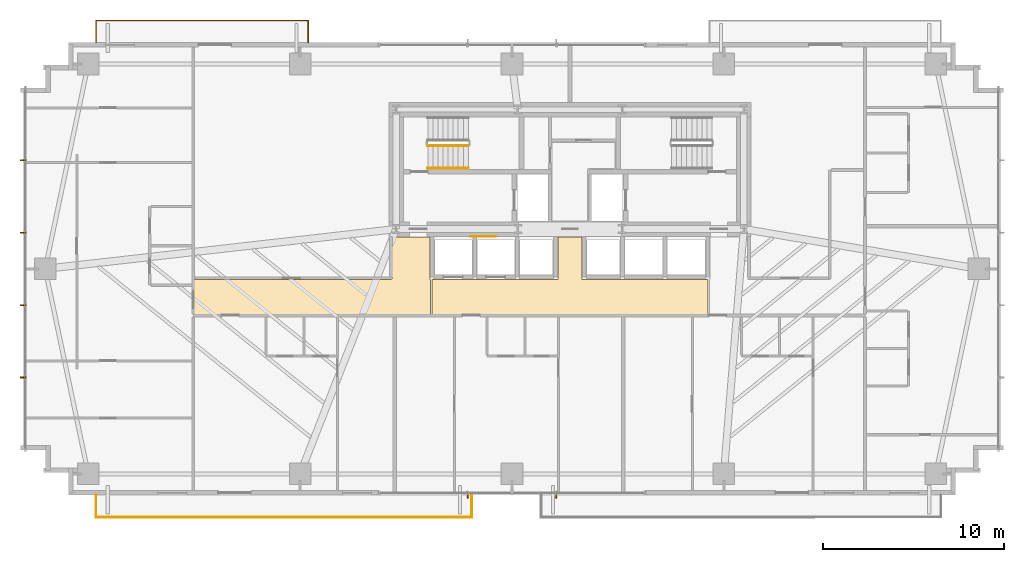
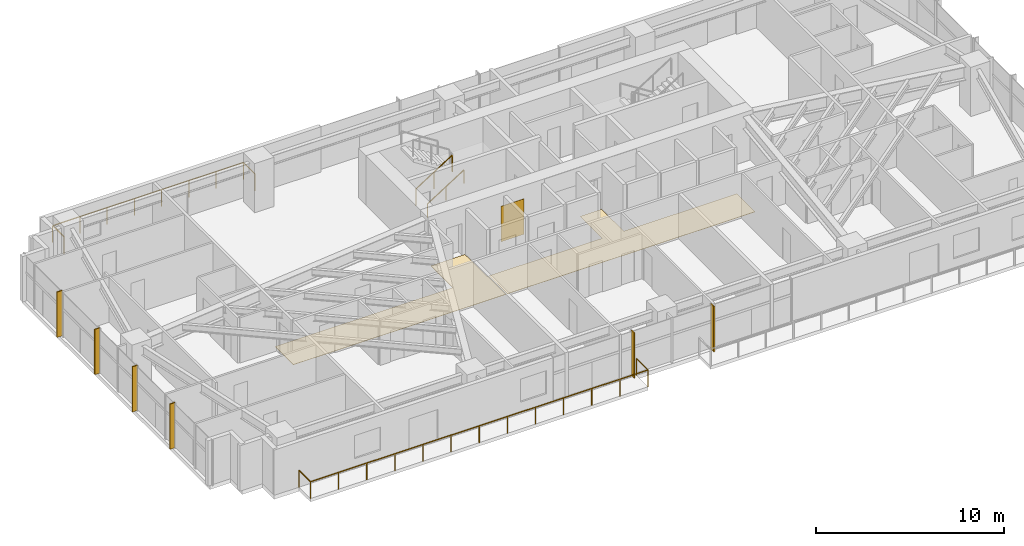
# One storey, part 23 of 25: 6 shading devices, 4 railings, 3 coverings.
"""IFC4 building model written with IfcOpenShell, lengths in metres."""

from ifc_helpers import new_model, si_unit, direction, frame, origin, origin_2d, place, context, subcontext, project, spatial, polyline, rectangle, outline, extrude, source, transform, mapped, material, layer, layer_set, type_object, type_shapes, element, save


model = new_model("IFC4")

# Units and contexts
model_context = context("Model", 3, precision=1e-05, world=origin(), true_north=direction((0.0, 1.0)))
body_context = subcontext(model_context, "Body", "Model", "MODEL_VIEW")
ifc_project = project(units=[si_unit("LENGTHUNIT", "METRE"), si_unit("AREAUNIT", "SQUARE_METRE"), si_unit("VOLUMEUNIT", "CUBIC_METRE"), si_unit("PLANEANGLEUNIT", "RADIAN"), si_unit("MASSUNIT", "GRAM", prefix="KILO")], contexts=[model_context])

# Site, building, storey
site_placement = place(None, origin())
site = spatial("IfcSite", under=ifc_project, at=site_placement, CompositionType="ELEMENT")
building_placement = place(site_placement, origin())
building = spatial("IfcBuilding", under=site, at=building_placement, Name="Astriad Promenade Condominiums", CompositionType="ELEMENT")
storey_placement = place(building_placement, frame((0.0, 0.0, 48.60009765625)))
storey = spatial("IfcBuildingStorey", under=building, at=storey_placement, Name="L13", CompositionType="ELEMENT", Elevation=48.60009765625)

# Coverings
ifc_material_1 = material(Name="Polished Lakefront Terrazzo Flooring")
ifc_layer_1 = layer(ifc_material_1, 0.02001953125)
ifc_layer_set_1 = layer_set([ifc_layer_1], Name="Polished Lakefront Terrazzo Flooring")
covering_type_1 = type_object("IfcCoveringType", Name="COV-FLOR-TERRAZZO-20", PredefinedType="FLOORING", material=ifc_layer_set_1)
covering_1_placement = place(storey_placement, origin())
element("IfcCovering", 1, at=covering_1_placement, inside=storey, type_object=covering_type_1, Name="FLR-L13-LLB", PredefinedType="FLOORING", context=body_context, shape_type="SweptSolid", body=[
    extrude(outline(polyline([(43.610107421875, 14.610107421875), (43.610107421875, 12.669921875), (28.389892578125, 12.669921875), (28.389892578125, 14.610107421875), (35.300048828125, 14.610107421875), (35.303955078125, 14.610107421875), (35.307861328125, 14.61083984375), (35.3115234375, 14.61181640625), (35.315185546875, 14.613037109375), (35.31884765625, 14.61474609375), (35.322265625, 14.61669921875), (35.325439453125, 14.619140625), (35.328369140625, 14.62158203125), (35.330810546875, 14.62451171875), (35.333251953125, 14.627685546875), (35.335205078125, 14.631103515625), (35.3369140625, 14.634765625), (35.33837890625, 14.638427734375), (35.339111328125, 14.64208984375), (35.33984375, 14.64599609375), (35.340087890625, 14.64990234375), (35.340087890625, 16.9599609375), (36.659912109375, 16.9599609375), (36.659912109375, 14.64990234375), (36.66015625, 14.64599609375), (36.660888671875, 14.64208984375), (36.66162109375, 14.638427734375), (36.6630859375, 14.634765625), (36.664794921875, 14.631103515625), (36.666748046875, 14.627685546875), (36.669189453125, 14.62451171875), (36.671630859375, 14.62158203125), (36.674560546875, 14.619140625), (36.677734375, 14.61669921875), (36.68115234375, 14.61474609375), (36.684814453125, 14.613037109375), (36.6884765625, 14.61181640625), (36.692138671875, 14.61083984375), (36.696044921875, 14.610107421875), (36.699951171875, 14.610107421875), (43.610107421875, 14.610107421875)])), origin(), (0.0, 0.0, 1.0), 0.02001953125),
])
covering_2_placement = place(storey_placement, origin())
element("IfcCovering", 2, at=covering_2_placement, inside=storey, type_object=covering_type_1, Name="FLR-L13-COR-2", PredefinedType="FLOORING", context=body_context, shape_type="SweptSolid", body=[
    extrude(outline(polyline([(28.300048828125, 12.669921875), (15.239990234375, 12.669921875), (15.239990234375, 14.6201171875), (26.1201171875, 14.6201171875), (26.123779296875, 14.6201171875), (26.127685546875, 14.620849609375), (26.131591796875, 14.62158203125), (26.13525390625, 14.623046875), (26.138916015625, 14.624755859375), (26.14208984375, 14.626708984375), (26.1455078125, 14.629150390625), (26.148193359375, 14.631591796875), (26.15087890625, 14.634521484375), (26.1533203125, 14.6376953125), (26.1552734375, 14.64111328125), (26.156982421875, 14.644775390625), (26.158203125, 14.6484375), (26.1591796875, 14.652099609375), (26.159912109375, 14.656005859375), (26.159912109375, 14.659912109375), (26.159912109375, 16.9599609375), (28.260009765625, 16.9599609375), (28.260009765625, 14.64990234375), (28.26025390625, 14.64599609375), (28.2607421875, 14.64208984375), (28.26171875, 14.638427734375), (28.262939453125, 14.634765625), (28.2646484375, 14.631103515625), (28.2666015625, 14.627685546875), (28.26904296875, 14.62451171875), (28.271728515625, 14.62158203125), (28.274658203125, 14.619140625), (28.27783203125, 14.61669921875), (28.281005859375, 14.61474609375), (28.28466796875, 14.613037109375), (28.288330078125, 14.61181640625), (28.292236328125, 14.61083984375), (28.296142578125, 14.610107421875), (28.300048828125, 14.610107421875), (28.300048828125, 12.669921875)])), origin(), (0.0, 0.0, 1.0), 0.02001953125),
])

# Shading devices
ifc_material_2 = material(Name="Anodised aluminium 6063-T6 Black Fin", Category="aluminium")
shading_device_type = type_object("IfcShadingDeviceType", Name="FIN-BLACK-320", PredefinedType="USERDEFINED", material=ifc_material_2)
shared_shape_1 = source(origin(), body_context, "Body", "SweptSolid", [
    extrude(rectangle(XDim=0.06494140625, YDim=0.320068359375, at=origin_2d()), origin(), (0.0, 0.0, 1.0), 2.93994140625),
])
type_shapes(shading_device_type, [shared_shape_1])
for number, where, z_axis, x_axis, name in (
    (3, (5.7900390625, 9.199951171875, 0.0), (0.0, 0.0, 1.0), (0.0, 1.0, 0.0), "CW-L13-W-FIN-01"),
    (4, (5.7900390625, 13.199951171875, 0.0), (0.0, 0.0, 1.0), (0.0, 1.0, 0.0), "CW-L13-W-FIN-02"),
    (5, (5.7900390625, 17.199951171875, 0.0), (0.0, 0.0, 1.0), (0.0, 1.0, 0.0), "CW-L13-W-FIN-03"),
    (6, (5.7900390625, 21.199951171875, 0.0), (0.0, 0.0, 1.0), (0.0, 1.0, 0.0), "CW-L13-W-FIN-04"),
    (7, (35.25, 2.68994140625, 0.0), (0.0, 0.0, 1.0), (-1.0, 0.0, 0.0), "CW-L13-S-FIN-01"),
    (8, (30.35009765625, 2.68994140625, 0.0), (0.0, 0.0, 1.0), (-1.0, 0.0, 0.0), "CW-L13-S-FIN-02"),
):
    element("IfcShadingDevice", number, at=place(storey_placement, frame(where, z_axis=z_axis, x_axis=x_axis)), inside=storey, type_object=shading_device_type, Name=name, ObjectType="FIN", PredefinedType="USERDEFINED", context=body_context, shape_type="MappedRepresentation", body=[
        mapped(shared_shape_1, transform((0.0, 0.0, 0.0), scale=1.0)),
    ])

# Railings
ifc_material_3 = material(Name="Laminated Glass and Stainless Steel Balustrade", Category="steel")
railing_type_1 = type_object("IfcRailingType", Name="GRD-BALC-1120", PredefinedType="BALUSTRADE", material=ifc_material_3)
shared_shape_2 = source(origin(), body_context, "Body", "SweptSolid", [
    extrude(rectangle(XDim=0.048095703125, YDim=0.048095703125, at=origin_2d()), frame((0.0, 0.0, 1.09619140625), z_axis=(0.0, -1.0, 0.0), x_axis=(1.0, 0.0, 0.0)), (0.0, 0.0, 1.0), 1.219970703125),
    extrude(rectangle(XDim=0.048095703125, YDim=0.048095703125, at=origin_2d()), frame((0.0, -1.219970703125, 1.09619140625), z_axis=(1.0, 0.0, 0.0), x_axis=(0.0, 1.0, 0.0)), (0.0, 0.0, 1.0), 20.7451171875),
    extrude(rectangle(XDim=0.048095703125, YDim=0.048095703125, at=origin_2d()), frame((20.7451171875, -1.219970703125, 1.09619140625), z_axis=(0.0, 1.0, 0.0), x_axis=(-1.0, 0.0, 0.0)), (0.0, 0.0, 1.0), 1.219970703125),
    extrude(rectangle(XDim=0.0419921875, YDim=0.0419921875, at=origin_2d()), origin(), (0.0, 0.0, 1.0), 1.072021484375),
    extrude(rectangle(XDim=0.0419921875, YDim=0.0419921875, at=origin_2d()), frame((0.0, -1.219970703125, 0.0)), (0.0, 0.0, 1.0), 1.072021484375),
    extrude(rectangle(XDim=0.0419921875, YDim=0.0419921875, at=origin_2d()), frame((1.728759765625, -1.219970703125, 0.0)), (0.0, 0.0, 1.0), 1.072021484375),
    extrude(rectangle(XDim=0.0419921875, YDim=0.0419921875, at=origin_2d()), frame((3.45751953125, -1.219970703125, 0.0)), (0.0, 0.0, 1.0), 1.072021484375),
    extrude(rectangle(XDim=0.0419921875, YDim=0.0419921875, at=origin_2d()), frame((5.186279296875, -1.219970703125, 0.0)), (0.0, 0.0, 1.0), 1.072021484375),
    extrude(rectangle(XDim=0.0419921875, YDim=0.0419921875, at=origin_2d()), frame((6.9150390625, -1.219970703125, 0.0)), (0.0, 0.0, 1.0), 1.072021484375),
    extrude(rectangle(XDim=0.0419921875, YDim=0.0419921875, at=origin_2d()), frame((8.643798828125, -1.219970703125, 0.0)), (0.0, 0.0, 1.0), 1.072021484375),
    extrude(rectangle(XDim=0.0419921875, YDim=0.0419921875, at=origin_2d()), frame((10.37255859375, -1.219970703125, 0.0)), (0.0, 0.0, 1.0), 1.072021484375),
    extrude(rectangle(XDim=0.0419921875, YDim=0.0419921875, at=origin_2d()), frame((12.101318359375, -1.219970703125, 0.0)), (0.0, 0.0, 1.0), 1.072021484375),
    extrude(rectangle(XDim=0.0419921875, YDim=0.0419921875, at=origin_2d()), frame((13.830078125, -1.219970703125, 0.0)), (0.0, 0.0, 1.0), 1.072021484375),
    extrude(rectangle(XDim=0.0419921875, YDim=0.0419921875, at=origin_2d()), frame((15.558837890625, -1.219970703125, 0.0)), (0.0, 0.0, 1.0), 1.072021484375),
    extrude(rectangle(XDim=0.0419921875, YDim=0.0419921875, at=origin_2d()), frame((17.28759765625, -1.219970703125, 0.0)), (0.0, 0.0, 1.0), 1.072021484375),
    extrude(rectangle(XDim=0.0419921875, YDim=0.0419921875, at=origin_2d()), frame((19.016357421875, -1.219970703125, 0.0)), (0.0, 0.0, 1.0), 1.072021484375),
    extrude(rectangle(XDim=0.0419921875, YDim=0.0419921875, at=origin_2d()), frame((20.7451171875, -1.219970703125, 0.0)), (0.0, 0.0, 1.0), 1.072021484375),
    extrude(rectangle(XDim=0.0419921875, YDim=0.0419921875, at=origin_2d()), frame((20.7451171875, 0.0, 0.0)), (0.0, 0.0, 1.0), 1.072021484375),
])
railing_1_placement = place(storey_placement, frame((9.827880859375, 2.699951171875, 0.0)))
element("IfcRailing", 9, at=railing_1_placement, inside=storey, type_object=railing_type_1, Name="GRD-BALC-L13-SW", PredefinedType="BALUSTRADE", context=body_context, shape_type="MappedRepresentation", body=[
    mapped(shared_shape_2, transform((0.0, 0.0, 0.0), scale=1.0)),
])
shared_shape_3 = source(origin(), body_context, "Body", "SweptSolid", [
    extrude(rectangle(XDim=0.048095703125, YDim=0.048095703125, at=origin_2d()), frame((0.0, 0.0, 1.09619140625), z_axis=(0.0, 1.0, 0.0), x_axis=(-1.0, 0.0, 0.0)), (0.0, 0.0, 1.0), 1.219970703125),
    extrude(rectangle(XDim=0.048095703125, YDim=0.048095703125, at=origin_2d()), frame((0.0, 1.219970703125, 1.09619140625), z_axis=(-1.0, 0.0, 0.0), x_axis=(0.0, -1.0, 0.0)), (0.0, 0.0, 1.0), 11.72216796875),
    extrude(rectangle(XDim=0.048095703125, YDim=0.048095703125, at=origin_2d()), frame((-11.72216796875, 1.219970703125, 1.09619140625), z_axis=(0.0, -1.0, 0.0), x_axis=(1.0, 0.0, 0.0)), (0.0, 0.0, 1.0), 1.219970703125),
    extrude(rectangle(XDim=0.0419921875, YDim=0.0419921875, at=origin_2d()), origin(), (0.0, 0.0, 1.0), 1.072021484375),
    extrude(rectangle(XDim=0.0419921875, YDim=0.0419921875, at=origin_2d()), frame((0.0, 1.219970703125, 0.0)), (0.0, 0.0, 1.0), 1.072021484375),
    extrude(rectangle(XDim=0.0419921875, YDim=0.0419921875, at=origin_2d()), frame((-1.674560546875, 1.219970703125, 0.0)), (0.0, 0.0, 1.0), 1.072021484375),
    extrude(rectangle(XDim=0.0419921875, YDim=0.0419921875, at=origin_2d()), frame((-3.34912109375, 1.219970703125, 0.0)), (0.0, 0.0, 1.0), 1.072021484375),
    extrude(rectangle(XDim=0.0419921875, YDim=0.0419921875, at=origin_2d()), frame((-5.023681640625, 1.219970703125, 0.0)), (0.0, 0.0, 1.0), 1.072021484375),
    extrude(rectangle(XDim=0.0419921875, YDim=0.0419921875, at=origin_2d()), frame((-6.698486328125, 1.219970703125, 0.0)), (0.0, 0.0, 1.0), 1.072021484375),
    extrude(rectangle(XDim=0.0419921875, YDim=0.0419921875, at=origin_2d()), frame((-8.373046875, 1.219970703125, 0.0)), (0.0, 0.0, 1.0), 1.072021484375),
    extrude(rectangle(XDim=0.0419921875, YDim=0.0419921875, at=origin_2d()), frame((-10.047607421875, 1.219970703125, 0.0)), (0.0, 0.0, 1.0), 1.072021484375),
    extrude(rectangle(XDim=0.0419921875, YDim=0.0419921875, at=origin_2d()), frame((-11.72216796875, 1.219970703125, 0.0)), (0.0, 0.0, 1.0), 1.072021484375),
    extrude(rectangle(XDim=0.0419921875, YDim=0.0419921875, at=origin_2d()), frame((-11.72216796875, 0.0, 0.0)), (0.0, 0.0, 1.0), 1.072021484375),
])
type_shapes(railing_type_1, [shared_shape_2, shared_shape_3])
railing_2_placement = place(storey_placement, frame((21.550048828125, 27.699951171875, 0.0)))
element("IfcRailing", 10, at=railing_2_placement, inside=storey, type_object=railing_type_1, Name="GRD-BALC-L13-NW", PredefinedType="BALUSTRADE", context=body_context, shape_type="MappedRepresentation", body=[
    mapped(shared_shape_3, transform((0.0, 0.0, 0.0), scale=1.0)),
])
ifc_material_4 = material(Name="Painted Galvanised Steel Guardrail", Category="steel")
railing_type_2 = type_object("IfcRailingType", Name="GRD-STAIR-1100", PredefinedType="GUARDRAIL", material=ifc_material_4)
shared_shape_4 = source(origin(), body_context, "Body", "SweptSolid", [
    extrude(rectangle(XDim=0.048095703125, YDim=0.048095703125, at=origin_2d()), frame((0.0, 0.0, 1.076171875), z_axis=(0.8442293374, 0.0, 0.53598211339), x_axis=(0.0, 1.0, 0.0)), (0.0, 0.0, 1.0), 2.6533203125),
    extrude(rectangle(XDim=0.0419921875, YDim=0.0419921875, at=origin_2d()), origin(), (0.0, 0.0, 1.0), 1.052001953125),
    extrude(rectangle(XDim=0.0419921875, YDim=0.0419921875, at=origin_2d()), frame((1.1201171875, 0.0, 0.7109375)), (0.0, 0.0, 1.0), 1.052001953125),
    extrude(rectangle(XDim=0.0419921875, YDim=0.0419921875, at=origin_2d()), frame((2.239990234375, 0.0, 1.422119140625)), (0.0, 0.0, 1.0), 1.052001953125),
])
type_shapes(railing_type_2, [shared_shape_4])
railing_3_placement = place(storey_placement, frame((28.14990234375, 22.0, 0.177734375)))
element("IfcRailing", 11, at=railing_3_placement, inside=storey, type_object=railing_type_2, Name="L13 ST-1 stair guard 1", PredefinedType="GUARDRAIL", context=body_context, shape_type="MappedRepresentation", body=[
    mapped(shared_shape_4, transform((0.0, 0.0, 0.0), scale=1.0)),
])
ifc_material_5 = material(Name="Brushed Stainless Steel Handrail", Category="steel")
railing_type_3 = type_object("IfcRailingType", Name="HRL-STAIR-920", PredefinedType="HANDRAIL", material=ifc_material_5)
shared_shape_5 = source(origin(), body_context, "Body", "SweptSolid", [
    extrude(rectangle(XDim=0.048095703125, YDim=0.048095703125, at=origin_2d()), frame((0.0, 0.0, 0.8759765625), z_axis=(0.8442293374, 0.0, 0.53598211339), x_axis=(0.0, 1.0, 0.0)), (0.0, 0.0, 1.0), 2.6533203125),
    extrude(rectangle(XDim=0.0419921875, YDim=0.0419921875, at=origin_2d()), origin(), (0.0, 0.0, 1.0), 0.851806640625),
    extrude(rectangle(XDim=0.0419921875, YDim=0.0419921875, at=origin_2d()), frame((1.1201171875, 0.0, 0.7109375)), (0.0, 0.0, 1.0), 0.851806640625),
    extrude(rectangle(XDim=0.0419921875, YDim=0.0419921875, at=origin_2d()), frame((2.239990234375, 0.0, 1.422119140625)), (0.0, 0.0, 1.0), 0.851806640625),
])
type_shapes(railing_type_3, [shared_shape_5])
railing_4_placement = place(storey_placement, frame((28.14990234375, 20.75, 0.177734375)))
element("IfcRailing", 12, at=railing_4_placement, inside=storey, type_object=railing_type_3, Name="L13 ST-1 stair handrail 1", PredefinedType="HANDRAIL", context=body_context, shape_type="MappedRepresentation", body=[
    mapped(shared_shape_5, transform((0.0, 0.0, 0.0), scale=1.0)),
])

# Covering
ifc_material_6 = material(Name="Fire-Retardant Acoustic Oak Wall Cladding")
ifc_layer_2 = layer(ifc_material_6, 0.02490234375)
ifc_layer_set_2 = layer_set([ifc_layer_2], Name="Fire-Retardant Acoustic Oak Wall Cladding")
covering_type_2 = type_object("IfcCoveringType", Name="COV-CLAD-TIMBER-25", PredefinedType="CLADDING", material=ifc_layer_set_2)
shared_shape_6 = source(origin(), body_context, "Body", "SweptSolid", [
    extrude(rectangle(XDim=1.39990234375, YDim=0.02490234375, at=origin_2d()), origin(), (0.0, 0.0, 1.0), 2.300048828125),
])
type_shapes(covering_type_2, [shared_shape_6])
covering_3_placement = place(storey_placement, frame((31.199951171875, 16.991455078125, 0.0498046875), z_axis=(0.0, 0.0, 1.0), x_axis=(1.0, 0.0, 0.0)))
element("IfcCovering", 13, at=covering_3_placement, inside=storey, type_object=covering_type_2, Name="CLAD-LOB-L13", PredefinedType="CLADDING", context=body_context, shape_type="MappedRepresentation", body=[
    mapped(shared_shape_6, transform((0.0, 0.0, 0.0), scale=1.0)),
])

save(model, "model.ifc")
